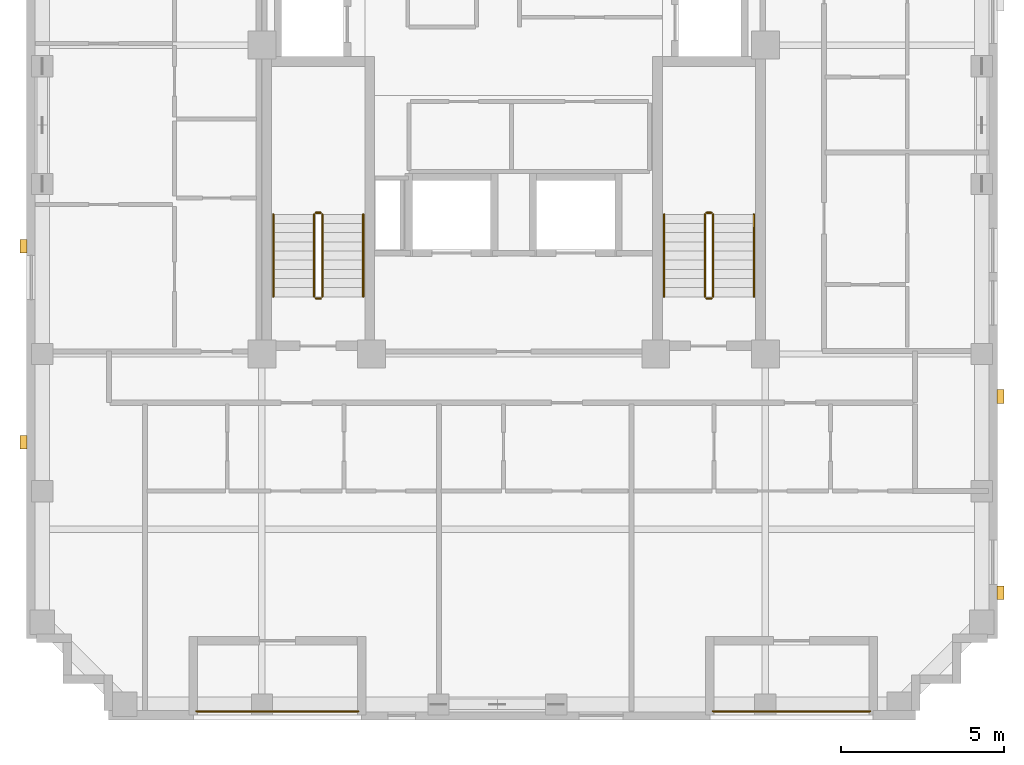
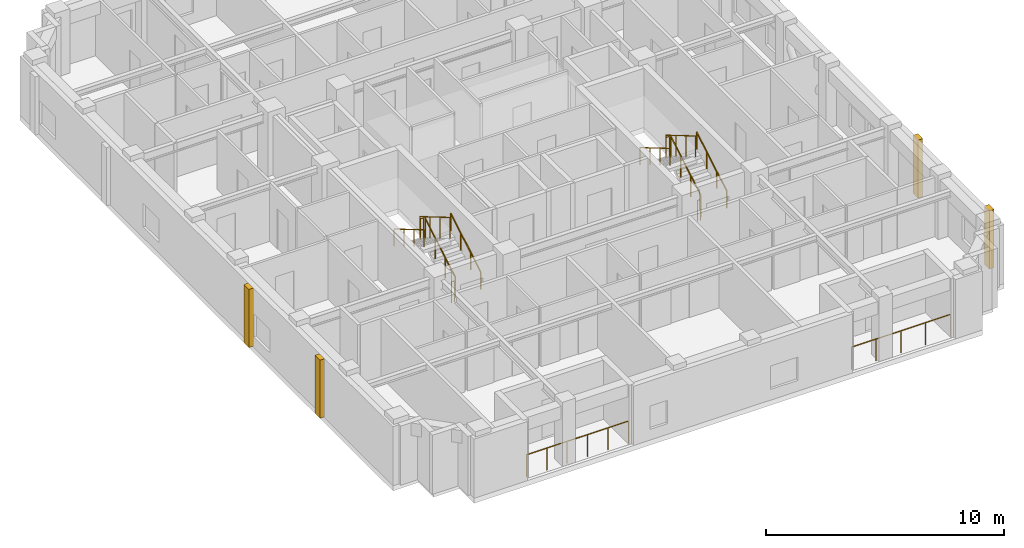
# One storey, part 10 of 11: 14 railings, 4 coverings.
"""IFC4 building model written with IfcOpenShell, lengths in metres."""

from ifc_helpers import new_model, si_unit, derived_unit, direction, frame, origin, origin_2d, place, context, subcontext, project, spatial, rectangle, circle, extrude, material, layer, layer_set, type_object, element, save


model = new_model("IFC4")

# Units and contexts
model_context = context("Model", 3, precision=1e-05, world=origin(), true_north=direction((0.0, 1.0)))
body_context = subcontext(model_context, "Body", "Model", "MODEL_VIEW")
ifc_project = project(units=[si_unit("LENGTHUNIT", "METRE"), si_unit("AREAUNIT", "SQUARE_METRE"), si_unit("VOLUMEUNIT", "CUBIC_METRE"), si_unit("PLANEANGLEUNIT", "RADIAN"), si_unit("MASSUNIT", "GRAM", prefix="KILO"), derived_unit("THERMALTRANSMITTANCEUNIT", [(si_unit("MASSUNIT", "GRAM", prefix="KILO"), 1), (si_unit("TIMEUNIT", "SECOND"), -3), (si_unit("THERMODYNAMICTEMPERATUREUNIT", "KELVIN"), -1)])], contexts=[model_context])

# Site, building, storey
site_placement = place(None, origin())
site = spatial("IfcSite", under=ifc_project, at=site_placement, CompositionType="ELEMENT")
building_placement = place(site_placement, origin())
building = spatial("IfcBuilding", under=site, at=building_placement, Name="Korrvale Station Residences", CompositionType="ELEMENT")
storey_placement = place(building_placement, frame((0.0, 0.0, 210.699951171875)))
storey = spatial("IfcBuildingStorey", under=building, at=storey_placement, Name="L61", CompositionType="ELEMENT", Elevation=210.699951171875)

# Coverings
ifc_material_1 = material(Name="Architectural precast concrete C45/55", Category="concrete")
ifc_layer = layer(ifc_material_1, 0.219970703125, Name="Architectural precast concrete C45/55")
ifc_layer_set = layer_set([ifc_layer], Name="Architectural precast concrete C45/55")
covering_type = type_object("IfcCoveringType", Name="COV-PIER-400", PredefinedType="CLADDING", material=ifc_layer_set)
for number, where, z_axis, x_axis, name in (
    (1, (10.510009765625, 12.300048828125, 0.02490234375), (0.0, 0.0, 1.0), (0.0, 1.0, 0.0), "L61 Architectural Precast Facade Pier 02"),
    (2, (10.510009765625, 18.300048828125, 0.02490234375), (0.0, 0.0, 1.0), (0.0, 1.0, 0.0), "L61 Architectural Precast Facade Pier 03"),
    (3, (40.389892578125, 13.699951171875, 0.02490234375), (0.0, 0.0, 1.0), (0.0, 1.0, 0.0), "L61 Architectural Precast Facade Pier 08"),
    (4, (40.389892578125, 7.699951171875, 0.02490234375), (0.0, 0.0, 1.0), (0.0, 1.0, 0.0), "L61 Architectural Precast Facade Pier 09"),
):
    element("IfcCovering", number, at=place(storey_placement, frame(where, z_axis=z_axis, x_axis=x_axis)), inside=storey, type_object=covering_type, Name=name, PredefinedType="CLADDING", context=body_context, shape_type="SweptSolid", body=[
        extrude(rectangle(XDim=0.419921875, YDim=0.219970703125, at=origin_2d()), origin(), (0.0, 0.0, 1.0), 2.989990234375),
    ])

# Railings
ifc_material_2 = material(Name="Powder-coated aluminium picket loggia guard", Category="aluminium")
railing_type_1 = type_object("IfcRailingType", Name="RLG-BAL-1150", PredefinedType="GUARDRAIL", material=ifc_material_2)
railing_1_placement = place(storey_placement, frame((31.60009765625, 4.070068359375, 0.0)))
element("IfcRailing", 5, at=railing_1_placement, inside=storey, type_object=railing_type_1, Name="L61 Recessed Loggia Guardrail BAL-L61-S2", PredefinedType="GUARDRAIL", context=body_context, shape_type="SweptSolid", body=[
    extrude(circle(Radius=0.02392578125, at=origin_2d()), frame((0.0, 0.0, 1.1259765625), z_axis=(1.0, 0.0, 0.0), x_axis=(0.0, 1.0, 0.0)), (0.0, 0.0, 1.0), 4.7998046875),
    extrude(circle(Radius=0.02099609375, at=origin_2d()), origin(), (0.0, 0.0, 1.0), 1.101806640625),
    extrude(circle(Radius=0.02099609375, at=origin_2d()), frame((1.199951171875, 0.0, 0.0)), (0.0, 0.0, 1.0), 1.101806640625),
    extrude(circle(Radius=0.02099609375, at=origin_2d()), frame((2.39990234375, 0.0, 0.0)), (0.0, 0.0, 1.0), 1.101806640625),
    extrude(circle(Radius=0.02099609375, at=origin_2d()), frame((3.599853515625, 0.0, 0.0)), (0.0, 0.0, 1.0), 1.101806640625),
    extrude(circle(Radius=0.02099609375, at=origin_2d()), frame((4.7998046875, 0.0, 0.0)), (0.0, 0.0, 1.0), 1.101806640625),
])
railing_2_placement = place(storey_placement, frame((15.800048828125, 4.070068359375, 0.0)))
element("IfcRailing", 6, at=railing_2_placement, inside=storey, type_object=railing_type_1, Name="L61 Recessed Loggia Guardrail BAL-L61-S1", PredefinedType="GUARDRAIL", context=body_context, shape_type="SweptSolid", body=[
    extrude(circle(Radius=0.02392578125, at=origin_2d()), frame((0.0, 0.0, 1.1259765625), z_axis=(1.0, 0.0, 0.0), x_axis=(0.0, 1.0, 0.0)), (0.0, 0.0, 1.0), 4.949951171875),
    extrude(circle(Radius=0.02099609375, at=origin_2d()), origin(), (0.0, 0.0, 1.0), 1.101806640625),
    extrude(circle(Radius=0.02099609375, at=origin_2d()), frame((0.989990234375, 0.0, 0.0)), (0.0, 0.0, 1.0), 1.101806640625),
    extrude(circle(Radius=0.02099609375, at=origin_2d()), frame((1.97998046875, 0.0, 0.0)), (0.0, 0.0, 1.0), 1.101806640625),
    extrude(circle(Radius=0.02099609375, at=origin_2d()), frame((2.969970703125, 0.0, 0.0)), (0.0, 0.0, 1.0), 1.101806640625),
    extrude(circle(Radius=0.02099609375, at=origin_2d()), frame((3.9599609375, 0.0, 0.0)), (0.0, 0.0, 1.0), 1.101806640625),
    extrude(circle(Radius=0.02099609375, at=origin_2d()), frame((4.949951171875, 0.0, 0.0)), (0.0, 0.0, 1.0), 1.101806640625),
])
ifc_material_3 = material(Name="Brushed stainless-steel continuous stair handrail", Category="steel")
railing_type_2 = type_object("IfcRailingType", Name="RLG-SHND-900", PredefinedType="HANDRAIL", material=ifc_material_3)
railing_3_placement = place(storey_placement, frame((20.89990234375, 16.75, 0.1650390625)))
element("IfcRailing", 7, at=railing_3_placement, inside=storey, type_object=railing_type_2, Name="L61 ST-1 stair handrail 1", PredefinedType="HANDRAIL", context=body_context, shape_type="SweptSolid", body=[
    extrude(circle(Radius=0.02392578125, at=origin_2d()), frame((0.0, 0.0, 0.8759765625), z_axis=(0.0, 0.86152411907, 0.507716645641), x_axis=(-1.0, 0.0, 0.0)), (0.0, 0.0, 1.0), 2.925048828125),
    extrude(circle(Radius=0.02099609375, at=origin_2d()), origin(), (0.0, 0.0, 1.0), 0.851806640625),
    extrude(circle(Radius=0.02099609375, at=origin_2d()), frame((0.0, 0.840087890625, 0.4951171875)), (0.0, 0.0, 1.0), 0.851806640625),
    extrude(circle(Radius=0.02099609375, at=origin_2d()), frame((0.0, 1.679931640625, 0.989990234375)), (0.0, 0.0, 1.0), 0.851806640625),
    extrude(circle(Radius=0.02099609375, at=origin_2d()), frame((0.0, 2.52001953125, 1.485107421875)), (0.0, 0.0, 1.0), 0.851806640625),
])
railing_4_placement = place(storey_placement, frame((18.14990234375, 19.27001953125, 1.81494140625)))
element("IfcRailing", 8, at=railing_4_placement, inside=storey, type_object=railing_type_2, Name="L61 ST-1 stair handrail 2", PredefinedType="HANDRAIL", context=body_context, shape_type="SweptSolid", body=[
    extrude(circle(Radius=0.02392578125, at=origin_2d()), frame((0.0, 0.0, 0.8759765625), z_axis=(0.0, -0.86152411907, 0.507716645641), x_axis=(1.0, 0.0, 0.0)), (0.0, 0.0, 1.0), 2.925048828125),
    extrude(circle(Radius=0.02099609375, at=origin_2d()), origin(), (0.0, 0.0, 1.0), 0.851806640625),
    extrude(circle(Radius=0.02099609375, at=origin_2d()), frame((0.0, -0.840087890625, 0.4951171875)), (0.0, 0.0, 1.0), 0.851806640625),
    extrude(circle(Radius=0.02099609375, at=origin_2d()), frame((0.0, -1.679931640625, 0.989990234375)), (0.0, 0.0, 1.0), 0.851806640625),
    extrude(circle(Radius=0.02099609375, at=origin_2d()), frame((0.0, -2.52001953125, 1.485107421875)), (0.0, 0.0, 1.0), 0.851806640625),
])
railing_5_placement = place(storey_placement, frame((32.85009765625, 16.75, 0.1650390625)))
element("IfcRailing", 9, at=railing_5_placement, inside=storey, type_object=railing_type_2, Name="L61 ST-2 stair handrail 1", PredefinedType="HANDRAIL", context=body_context, shape_type="SweptSolid", body=[
    extrude(circle(Radius=0.02392578125, at=origin_2d()), frame((0.0, 0.0, 0.8759765625), z_axis=(0.0, 0.86152411907, 0.507716645641), x_axis=(-1.0, 0.0, 0.0)), (0.0, 0.0, 1.0), 2.925048828125),
    extrude(circle(Radius=0.02099609375, at=origin_2d()), origin(), (0.0, 0.0, 1.0), 0.851806640625),
    extrude(circle(Radius=0.02099609375, at=origin_2d()), frame((0.0, 0.840087890625, 0.4951171875)), (0.0, 0.0, 1.0), 0.851806640625),
    extrude(circle(Radius=0.02099609375, at=origin_2d()), frame((0.0, 1.679931640625, 0.989990234375)), (0.0, 0.0, 1.0), 0.851806640625),
    extrude(circle(Radius=0.02099609375, at=origin_2d()), frame((0.0, 2.52001953125, 1.485107421875)), (0.0, 0.0, 1.0), 0.851806640625),
])
railing_6_placement = place(storey_placement, frame((30.10009765625, 19.27001953125, 1.81494140625)))
element("IfcRailing", 10, at=railing_6_placement, inside=storey, type_object=railing_type_2, Name="L61 ST-2 stair handrail 2", PredefinedType="HANDRAIL", context=body_context, shape_type="SweptSolid", body=[
    extrude(circle(Radius=0.02392578125, at=origin_2d()), frame((0.0, 0.0, 0.8759765625), z_axis=(0.0, -0.86152411907, 0.507716645641), x_axis=(1.0, 0.0, 0.0)), (0.0, 0.0, 1.0), 2.925048828125),
    extrude(circle(Radius=0.02099609375, at=origin_2d()), origin(), (0.0, 0.0, 1.0), 0.851806640625),
    extrude(circle(Radius=0.02099609375, at=origin_2d()), frame((0.0, -0.840087890625, 0.4951171875)), (0.0, 0.0, 1.0), 0.851806640625),
    extrude(circle(Radius=0.02099609375, at=origin_2d()), frame((0.0, -1.679931640625, 0.989990234375)), (0.0, 0.0, 1.0), 0.851806640625),
    extrude(circle(Radius=0.02099609375, at=origin_2d()), frame((0.0, -2.52001953125, 1.485107421875)), (0.0, 0.0, 1.0), 0.851806640625),
])
ifc_material_4 = material(Name="Galvanised painted tubular steel stair guard", Category="steel")
railing_type_3 = type_object("IfcRailingType", Name="RLG-STR-1100", PredefinedType="GUARDRAIL", material=ifc_material_4)
railing_7_placement = place(storey_placement, frame((19.64990234375, 16.75, 0.1650390625)))
element("IfcRailing", 11, at=railing_7_placement, inside=storey, type_object=railing_type_3, Name="L61 ST-1 stair guard 1", PredefinedType="GUARDRAIL", context=body_context, shape_type="SweptSolid", body=[
    extrude(circle(Radius=0.02392578125, at=origin_2d()), frame((0.0, 0.0, 1.076171875), z_axis=(0.0, 0.86152411907, 0.507716645641), x_axis=(-1.0, 0.0, 0.0)), (0.0, 0.0, 1.0), 2.925048828125),
    extrude(circle(Radius=0.02099609375, at=origin_2d()), origin(), (0.0, 0.0, 1.0), 1.052001953125),
    extrude(circle(Radius=0.02099609375, at=origin_2d()), frame((0.0, 0.840087890625, 0.4951171875)), (0.0, 0.0, 1.0), 1.052001953125),
    extrude(circle(Radius=0.02099609375, at=origin_2d()), frame((0.0, 1.679931640625, 0.989990234375)), (0.0, 0.0, 1.0), 1.052001953125),
    extrude(circle(Radius=0.02099609375, at=origin_2d()), frame((0.0, 2.52001953125, 1.485107421875)), (0.0, 0.0, 1.0), 1.052001953125),
])
railing_8_placement = place(storey_placement, frame((19.60009765625, 19.320068359375, 1.650146484375)))
element("IfcRailing", 12, at=railing_8_placement, inside=storey, type_object=railing_type_3, Name="L61 ST-1 stair guard 2", PredefinedType="GUARDRAIL", context=body_context, shape_type="SweptSolid", body=[
    extrude(circle(Radius=0.02392578125, at=origin_2d()), frame((0.0, 0.0, 1.076171875), z_axis=(-1.0, 0.0, 0.0), x_axis=(0.0, -1.0, 0.0)), (0.0, 0.0, 1.0), 0.150146484375),
    extrude(circle(Radius=0.02099609375, at=origin_2d()), origin(), (0.0, 0.0, 1.0), 1.052001953125),
    extrude(circle(Radius=0.02099609375, at=origin_2d()), frame((-0.150146484375, 0.0, 0.0)), (0.0, 0.0, 1.0), 1.052001953125),
])
railing_9_placement = place(storey_placement, frame((19.39990234375, 19.27001953125, 1.81494140625)))
element("IfcRailing", 13, at=railing_9_placement, inside=storey, type_object=railing_type_3, Name="L61 ST-1 stair guard 3", PredefinedType="GUARDRAIL", context=body_context, shape_type="SweptSolid", body=[
    extrude(circle(Radius=0.02392578125, at=origin_2d()), frame((0.0, 0.0, 1.076171875), z_axis=(0.0, -0.86152411907, 0.507716645641), x_axis=(1.0, 0.0, 0.0)), (0.0, 0.0, 1.0), 2.925048828125),
    extrude(circle(Radius=0.02099609375, at=origin_2d()), origin(), (0.0, 0.0, 1.0), 1.052001953125),
    extrude(circle(Radius=0.02099609375, at=origin_2d()), frame((0.0, -0.840087890625, 0.4951171875)), (0.0, 0.0, 1.0), 1.052001953125),
    extrude(circle(Radius=0.02099609375, at=origin_2d()), frame((0.0, -1.679931640625, 0.989990234375)), (0.0, 0.0, 1.0), 1.052001953125),
    extrude(circle(Radius=0.02099609375, at=origin_2d()), frame((0.0, -2.52001953125, 1.485107421875)), (0.0, 0.0, 1.0), 1.052001953125),
])
railing_10_placement = place(storey_placement, frame((19.60009765625, 16.699951171875, 0.0)))
element("IfcRailing", 14, at=railing_10_placement, inside=storey, type_object=railing_type_3, Name="L61 ST-1 stair guard 4", PredefinedType="GUARDRAIL", context=body_context, shape_type="SweptSolid", body=[
    extrude(circle(Radius=0.02392578125, at=origin_2d()), frame((0.0, 0.0, 1.076171875), z_axis=(-1.0, 0.0, 0.0), x_axis=(0.0, -1.0, 0.0)), (0.0, 0.0, 1.0), 0.150146484375),
    extrude(circle(Radius=0.02099609375, at=origin_2d()), origin(), (0.0, 0.0, 1.0), 1.052001953125),
    extrude(circle(Radius=0.02099609375, at=origin_2d()), frame((-0.150146484375, 0.0, 0.0)), (0.0, 0.0, 1.0), 1.052001953125),
])
railing_11_placement = place(storey_placement, frame((31.60009765625, 16.75, 0.1650390625)))
element("IfcRailing", 15, at=railing_11_placement, inside=storey, type_object=railing_type_3, Name="L61 ST-2 stair guard 1", PredefinedType="GUARDRAIL", context=body_context, shape_type="SweptSolid", body=[
    extrude(circle(Radius=0.02392578125, at=origin_2d()), frame((0.0, 0.0, 1.076171875), z_axis=(0.0, 0.86152411907, 0.507716645641), x_axis=(-1.0, 0.0, 0.0)), (0.0, 0.0, 1.0), 2.925048828125),
    extrude(circle(Radius=0.02099609375, at=origin_2d()), origin(), (0.0, 0.0, 1.0), 1.052001953125),
    extrude(circle(Radius=0.02099609375, at=origin_2d()), frame((0.0, 0.840087890625, 0.4951171875)), (0.0, 0.0, 1.0), 1.052001953125),
    extrude(circle(Radius=0.02099609375, at=origin_2d()), frame((0.0, 1.679931640625, 0.989990234375)), (0.0, 0.0, 1.0), 1.052001953125),
    extrude(circle(Radius=0.02099609375, at=origin_2d()), frame((0.0, 2.52001953125, 1.485107421875)), (0.0, 0.0, 1.0), 1.052001953125),
])
railing_12_placement = place(storey_placement, frame((31.550048828125, 19.320068359375, 1.650146484375)))
element("IfcRailing", 16, at=railing_12_placement, inside=storey, type_object=railing_type_3, Name="L61 ST-2 stair guard 2", PredefinedType="GUARDRAIL", context=body_context, shape_type="SweptSolid", body=[
    extrude(circle(Radius=0.02392578125, at=origin_2d()), frame((0.0, 0.0, 1.076171875), z_axis=(-1.0, 0.0, 0.0), x_axis=(0.0, -1.0, 0.0)), (0.0, 0.0, 1.0), 0.150146484375),
    extrude(circle(Radius=0.02099609375, at=origin_2d()), origin(), (0.0, 0.0, 1.0), 1.052001953125),
    extrude(circle(Radius=0.02099609375, at=origin_2d()), frame((-0.150146484375, 0.0, 0.0)), (0.0, 0.0, 1.0), 1.052001953125),
])
railing_13_placement = place(storey_placement, frame((31.35009765625, 19.27001953125, 1.81494140625)))
element("IfcRailing", 17, at=railing_13_placement, inside=storey, type_object=railing_type_3, Name="L61 ST-2 stair guard 3", PredefinedType="GUARDRAIL", context=body_context, shape_type="SweptSolid", body=[
    extrude(circle(Radius=0.02392578125, at=origin_2d()), frame((0.0, 0.0, 1.076171875), z_axis=(0.0, -0.86152411907, 0.507716645641), x_axis=(1.0, 0.0, 0.0)), (0.0, 0.0, 1.0), 2.925048828125),
    extrude(circle(Radius=0.02099609375, at=origin_2d()), origin(), (0.0, 0.0, 1.0), 1.052001953125),
    extrude(circle(Radius=0.02099609375, at=origin_2d()), frame((0.0, -0.840087890625, 0.4951171875)), (0.0, 0.0, 1.0), 1.052001953125),
    extrude(circle(Radius=0.02099609375, at=origin_2d()), frame((0.0, -1.679931640625, 0.989990234375)), (0.0, 0.0, 1.0), 1.052001953125),
    extrude(circle(Radius=0.02099609375, at=origin_2d()), frame((0.0, -2.52001953125, 1.485107421875)), (0.0, 0.0, 1.0), 1.052001953125),
])
railing_14_placement = place(storey_placement, frame((31.550048828125, 16.699951171875, 0.0)))
element("IfcRailing", 18, at=railing_14_placement, inside=storey, type_object=railing_type_3, Name="L61 ST-2 stair guard 4", PredefinedType="GUARDRAIL", context=body_context, shape_type="SweptSolid", body=[
    extrude(circle(Radius=0.02392578125, at=origin_2d()), frame((0.0, 0.0, 1.076171875), z_axis=(-1.0, 0.0, 0.0), x_axis=(0.0, -1.0, 0.0)), (0.0, 0.0, 1.0), 0.150146484375),
    extrude(circle(Radius=0.02099609375, at=origin_2d()), origin(), (0.0, 0.0, 1.0), 1.052001953125),
    extrude(circle(Radius=0.02099609375, at=origin_2d()), frame((-0.150146484375, 0.0, 0.0)), (0.0, 0.0, 1.0), 1.052001953125),
])

save(model, "model.ifc")
